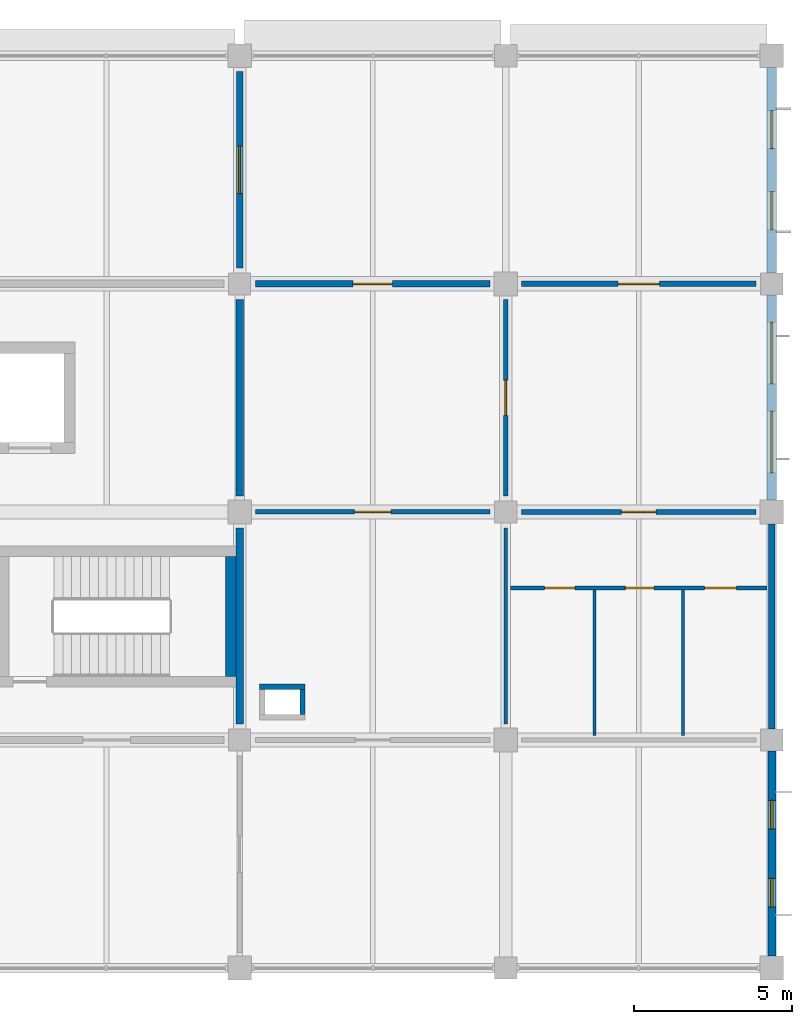
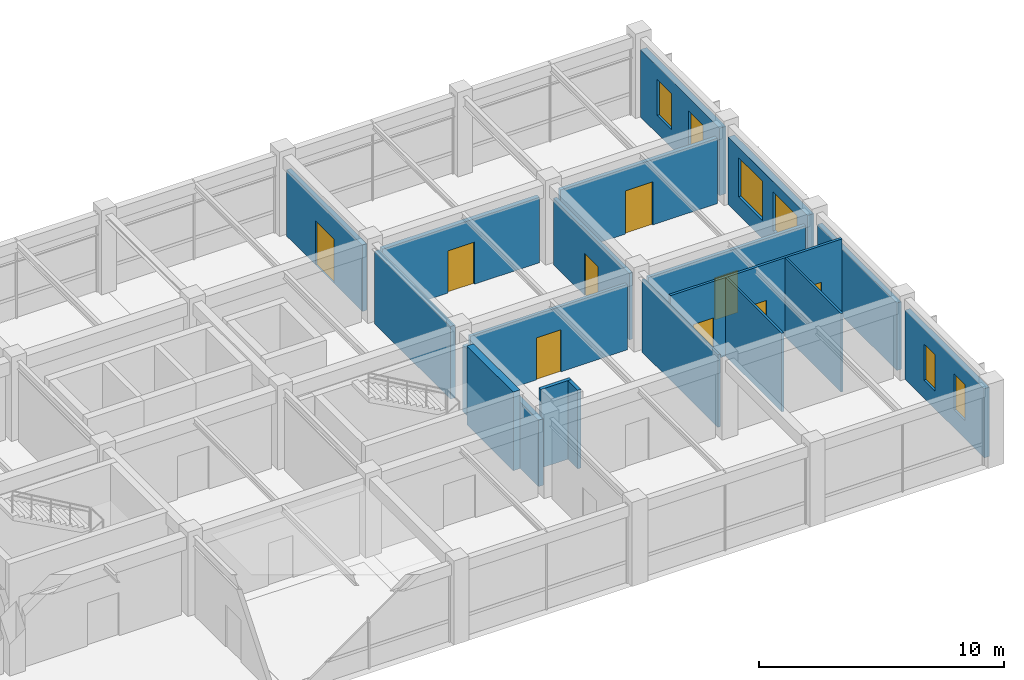
# One storey, part 10 of 13: 19 walls, 9 doors, 6 windows, 15 openings.
"""IFC4 building model written with IfcOpenShell, lengths in metres."""

from ifc_helpers import new_model, si_unit, derived_unit, direction, frame, frame_2d, origin, place, context, subcontext, project, spatial, rectangle, extrude, material, layer, layer_set, type_object, element, fill, save


model = new_model("IFC4")

# Units and contexts
model_context = context("Model", 3, precision=1e-05, world=origin(), true_north=direction((0.0, 1.0)))
body_context = subcontext(model_context, "Body", "Model", "MODEL_VIEW")
ifc_project = project(units=[si_unit("LENGTHUNIT", "METRE"), si_unit("AREAUNIT", "SQUARE_METRE"), si_unit("VOLUMEUNIT", "CUBIC_METRE"), si_unit("PLANEANGLEUNIT", "RADIAN"), si_unit("MASSUNIT", "GRAM", prefix="KILO"), derived_unit("THERMALTRANSMITTANCEUNIT", [(si_unit("MASSUNIT", "GRAM", prefix="KILO"), 1), (si_unit("TIMEUNIT", "SECOND"), -3), (si_unit("THERMODYNAMICTEMPERATUREUNIT", "KELVIN"), -1)])], contexts=[model_context])

# Site, building, storey
site_placement = place(None, origin())
site = spatial("IfcSite", under=ifc_project, at=site_placement, CompositionType="ELEMENT")
building_placement = place(site_placement, origin())
building = spatial("IfcBuilding", under=site, at=building_placement, Name="Veldstrom Oceanarium and Marine Research Institute", CompositionType="ELEMENT")
storey_placement = place(building_placement, frame((0.0, 0.0, 31.199951171875)))
storey = spatial("IfcBuildingStorey", under=building, at=storey_placement, Name="L06", CompositionType="ELEMENT", Elevation=31.199951171875)

# Wall, openings, windows
ifc_material_1 = material(Name="Masonry Cavity Wall", Category="masonry")
ifc_layer_1 = layer(ifc_material_1, 0.31005859375)
ifc_layer_set_1 = layer_set([ifc_layer_1], Name="ARC-WAL-EW1")
wall_type_1 = type_object("IfcWallType", Name="ARC-WAL-EW1", PredefinedType="SOLIDWALL", material=ifc_layer_set_1)
wall_1_placement = place(storey_placement, frame((117.60009765625, 57.97509765625, 0.0), z_axis=(0.0, 0.0, 1.0), x_axis=(0.0, 1.0, 0.0)))
wall_1 = element("IfcWall", 1, at=wall_1_placement, inside=storey, type_object=wall_type_1, Name="Exterior Facade Wall EW1 L06-192", PredefinedType="SOLIDWALL", context=body_context, shape_type="SweptSolid", body=[
    extrude(rectangle(XDim=6.474853515625, YDim=0.31005859375, at=frame_2d((3.2373046875, 0.0))), origin(), (0.0, 0.0, 1.0), 3.364990234375),
])
opening_1_placement = place(wall_1_placement, frame((0.8583984375, 0.0, 0.89990234375)))
opening_1 = element("IfcOpeningElement", 2, at=opening_1_placement, cuts=wall_1, Name="Opening W22", PredefinedType="OPENING", context=body_context, shape_type="SweptSolid", body=[
    extrude(rectangle(XDim=1.949951171875, YDim=1.949951171875, at=frame_2d((0.97509765625, 0.97509765625))), frame((0.0, 0.1650390625, 0.0), z_axis=(0.0, -1.0, 0.0), x_axis=(1.0, 0.0, 0.0)), (0.0, 0.0, 1.0), 0.330078125),
])
opening_2_placement = place(wall_1_placement, frame((3.666748046875, 0.0, 0.89990234375)))
opening_2 = element("IfcOpeningElement", 3, at=opening_2_placement, cuts=wall_1, Name="Opening W22", PredefinedType="OPENING", context=body_context, shape_type="SweptSolid", body=[
    extrude(rectangle(XDim=1.949951171875, YDim=1.949951171875, at=frame_2d((0.97509765625, 0.97509765625))), frame((0.0, 0.1650390625, 0.0), z_axis=(0.0, -1.0, 0.0), x_axis=(1.0, 0.0, 0.0)), (0.0, 0.0, 1.0), 0.330078125),
])
ifc_material_2 = material(Name="Double Glazed Low-E IGU", Category="glass")
window_type_1 = type_object("IfcWindowType", Name="ARC-WIN-W22", PartitioningType="SINGLE_PANEL", PredefinedType="WINDOW", material=ifc_material_2)
window_1_placement = place(opening_1_placement, origin())
window_1 = element("IfcWindow", 4, at=window_1_placement, inside=storey, type_object=window_type_1, Name="Facade Window W22 L06-0156", OverallHeight=1.949951171875, OverallWidth=1.949951171875, PartitioningType="SINGLE_PANEL", PredefinedType="WINDOW", context=body_context, shape_type="SweptSolid", body=[
    extrude(rectangle(XDim=1.949951171875, YDim=1.949951171875, at=frame_2d((0.97509765625, 0.97509765625))), frame((0.0, 0.030029296875, 0.0), z_axis=(0.0, -1.0, 0.0), x_axis=(1.0, 0.0, 0.0)), (0.0, 0.0, 1.0), 0.06005859375),
])
fill(opening_1, window_1)
window_2_placement = place(opening_2_placement, origin())
window_2 = element("IfcWindow", 5, at=window_2_placement, inside=storey, type_object=window_type_1, Name="Facade Window W22 L06-0157", OverallHeight=1.949951171875, OverallWidth=1.949951171875, PartitioningType="SINGLE_PANEL", PredefinedType="WINDOW", context=body_context, shape_type="SweptSolid", body=[
    extrude(rectangle(XDim=1.949951171875, YDim=1.949951171875, at=frame_2d((0.97509765625, 0.97509765625))), frame((0.0, 0.030029296875, 0.0), z_axis=(0.0, -1.0, 0.0), x_axis=(1.0, 0.0, 0.0)), (0.0, 0.0, 1.0), 0.06005859375),
])
fill(opening_2, window_2)

ifc_material_3 = material(Name="Masonry Cavity Wall", Category="masonry")
ifc_layer_2 = layer(ifc_material_3, 0.2900390625)
ifc_layer_set_2 = layer_set([ifc_layer_2], Name="ARC-WAL-EW2")
wall_type_2 = type_object("IfcWallType", Name="ARC-WAL-EW2", PredefinedType="SOLIDWALL", material=ifc_layer_set_2)
wall_2_placement = place(storey_placement, frame((117.60009765625, 65.14990234375, 0.0), z_axis=(0.0, 0.0, 1.0), x_axis=(0.0, 1.0, 0.0)))
wall_2 = element("IfcWall", 6, at=wall_2_placement, inside=storey, type_object=wall_type_2, Name="Exterior Facade Wall EW2 L06-193", PredefinedType="SOLIDWALL", context=body_context, shape_type="SweptSolid", body=[
    extrude(rectangle(XDim=6.47509765625, YDim=0.2900390625, at=frame_2d((3.237548828125, 0.0))), origin(), (0.0, 0.0, 1.0), 3.364990234375),
])
opening_3_placement = place(wall_2_placement, frame((1.3583984375, 0.0, 0.89990234375)))
opening_3 = element("IfcOpeningElement", 7, at=opening_3_placement, cuts=wall_2, Name="Opening W05", PredefinedType="OPENING", context=body_context, shape_type="SweptSolid", body=[
    extrude(rectangle(XDim=1.199951171875, YDim=1.800048828125, at=frame_2d((0.60009765625, 0.89990234375))), frame((0.0, 0.155029296875, 0.0), z_axis=(0.0, -1.0, 0.0), x_axis=(1.0, 0.0, 0.0)), (0.0, 0.0, 1.0), 0.31005859375),
])
opening_4_placement = place(wall_2_placement, frame((3.916748046875, 0.0, 0.89990234375)))
opening_4 = element("IfcOpeningElement", 8, at=opening_4_placement, cuts=wall_2, Name="Opening W05", PredefinedType="OPENING", context=body_context, shape_type="SweptSolid", body=[
    extrude(rectangle(XDim=1.199951171875, YDim=1.800048828125, at=frame_2d((0.60009765625, 0.89990234375))), frame((0.0, 0.155029296875, 0.0), z_axis=(0.0, -1.0, 0.0), x_axis=(1.0, 0.0, 0.0)), (0.0, 0.0, 1.0), 0.31005859375),
])
ifc_material_4 = material(Name="Double Glazed Low-E IGU", Category="glass")
window_type_2 = type_object("IfcWindowType", Name="ARC-WIN-W05", PartitioningType="SINGLE_PANEL", PredefinedType="WINDOW", material=ifc_material_4)
window_3_placement = place(opening_3_placement, origin())
window_3 = element("IfcWindow", 9, at=window_3_placement, inside=storey, type_object=window_type_2, Name="Facade Window W05 L06-0158", OverallHeight=1.800048828125, OverallWidth=1.199951171875, PartitioningType="SINGLE_PANEL", PredefinedType="WINDOW", context=body_context, shape_type="SweptSolid", body=[
    extrude(rectangle(XDim=1.199951171875, YDim=1.800048828125, at=frame_2d((0.60009765625, 0.89990234375))), frame((0.0, 0.030029296875, 0.0), z_axis=(0.0, -1.0, 0.0), x_axis=(1.0, 0.0, 0.0)), (0.0, 0.0, 1.0), 0.06005859375),
])
fill(opening_3, window_3)
window_4_placement = place(opening_4_placement, origin())
window_4 = element("IfcWindow", 10, at=window_4_placement, inside=storey, type_object=window_type_2, Name="Facade Window W05 L06-0159", OverallHeight=1.800048828125, OverallWidth=1.199951171875, PartitioningType="SINGLE_PANEL", PredefinedType="WINDOW", context=body_context, shape_type="SweptSolid", body=[
    extrude(rectangle(XDim=1.199951171875, YDim=1.800048828125, at=frame_2d((0.60009765625, 0.89990234375))), frame((0.0, 0.030029296875, 0.0), z_axis=(0.0, -1.0, 0.0), x_axis=(1.0, 0.0, 0.0)), (0.0, 0.0, 1.0), 0.06005859375),
])
fill(opening_4, window_4)

ifc_material_5 = material(Name="Masonry Cavity Wall", Category="masonry")
ifc_layer_3 = layer(ifc_material_5, 0.25)
ifc_layer_set_3 = layer_set([ifc_layer_3], Name="ARC-WAL-EW5")
wall_type_3 = type_object("IfcWallType", Name="ARC-WAL-EW5", PredefinedType="SOLIDWALL", material=ifc_layer_set_3)
wall_3_placement = place(storey_placement, frame((117.60009765625, 43.574951171875, 0.0), z_axis=(0.0, 0.0, 1.0), x_axis=(0.0, 1.0, 0.0)))
wall_3 = element("IfcWall", 11, at=wall_3_placement, inside=storey, type_object=wall_type_3, Name="Exterior Facade Wall EW5 L06-190", PredefinedType="SOLIDWALL", context=body_context, shape_type="SweptSolid", body=[
    extrude(rectangle(XDim=6.47509765625, YDim=0.25, at=frame_2d((3.237548828125, 0.0))), origin(), (0.0, 0.0, 1.0), 3.445068359375),
])
opening_5_placement = place(wall_3_placement, frame((1.558349609375, 0.0, 0.89990234375)))
opening_5 = element("IfcOpeningElement", 12, at=opening_5_placement, cuts=wall_3, Name="Opening W06", PredefinedType="OPENING", context=body_context, shape_type="SweptSolid", body=[
    extrude(rectangle(XDim=0.89990234375, YDim=1.800048828125, at=frame_2d((0.449951171875, 0.89990234375))), frame((0.0, 0.135009765625, 0.0), z_axis=(0.0, -1.0, 0.0), x_axis=(1.0, 0.0, 0.0)), (0.0, 0.0, 1.0), 0.27001953125),
])
opening_6_placement = place(wall_3_placement, frame((4.0166015625, 0.0, 0.89990234375)))
opening_6 = element("IfcOpeningElement", 13, at=opening_6_placement, cuts=wall_3, Name="Opening W06", PredefinedType="OPENING", context=body_context, shape_type="SweptSolid", body=[
    extrude(rectangle(XDim=0.89990234375, YDim=1.800048828125, at=frame_2d((0.449951171875, 0.89990234375))), frame((0.0, 0.135009765625, 0.0), z_axis=(0.0, -1.0, 0.0), x_axis=(1.0, 0.0, 0.0)), (0.0, 0.0, 1.0), 0.27001953125),
])
ifc_material_6 = material(Name="Double Glazed Low-E IGU", Category="glass")
window_type_3 = type_object("IfcWindowType", Name="ARC-WIN-W06", PartitioningType="SINGLE_PANEL", PredefinedType="WINDOW", material=ifc_material_6)
window_5_placement = place(opening_5_placement, origin())
window_5 = element("IfcWindow", 14, at=window_5_placement, inside=storey, type_object=window_type_3, Name="Facade Window W06 L06-0154", OverallHeight=1.800048828125, OverallWidth=0.89990234375, PartitioningType="SINGLE_PANEL", PredefinedType="WINDOW", context=body_context, shape_type="SweptSolid", body=[
    extrude(rectangle(XDim=0.89990234375, YDim=1.800048828125, at=frame_2d((0.449951171875, 0.89990234375))), frame((0.0, 0.030029296875, 0.0), z_axis=(0.0, -1.0, 0.0), x_axis=(1.0, 0.0, 0.0)), (0.0, 0.0, 1.0), 0.06005859375),
])
fill(opening_5, window_5)
window_6_placement = place(opening_6_placement, origin())
window_6 = element("IfcWindow", 15, at=window_6_placement, inside=storey, type_object=window_type_3, Name="Facade Window W06 L06-0155", OverallHeight=1.800048828125, OverallWidth=0.89990234375, PartitioningType="SINGLE_PANEL", PredefinedType="WINDOW", context=body_context, shape_type="SweptSolid", body=[
    extrude(rectangle(XDim=0.89990234375, YDim=1.800048828125, at=frame_2d((0.449951171875, 0.89990234375))), frame((0.0, 0.030029296875, 0.0), z_axis=(0.0, -1.0, 0.0), x_axis=(1.0, 0.0, 0.0)), (0.0, 0.0, 1.0), 0.06005859375),
])
fill(opening_6, window_6)

# Walls
ifc_material_7 = material(Name="Masonry Cavity Wall", Category="masonry")
ifc_layer_4 = layer(ifc_material_7, 0.215087890625)
ifc_layer_set_4 = layer_set([ifc_layer_4], Name="ARC-WAL-EW6")
wall_type_4 = type_object("IfcWallType", Name="ARC-WAL-EW6", PredefinedType="SOLIDWALL", material=ifc_layer_set_4)
wall_4_placement = place(storey_placement, frame((117.60009765625, 50.75, 0.0), z_axis=(0.0, 0.0, 1.0), x_axis=(0.0, 1.0, 0.0)))
element("IfcWall", 16, at=wall_4_placement, inside=storey, type_object=wall_type_4, Name="Exterior Facade Wall EW6 L06-191", PredefinedType="SOLIDWALL", context=body_context, shape_type="SweptSolid", body=[
    extrude(rectangle(XDim=6.47509765625, YDim=0.215087890625, at=frame_2d((3.237548828125, 0.0))), origin(), (0.0, 0.0, 1.0), 3.364990234375),
])
ifc_material_8 = material(Name="Masonry Fire Compartment Wall", Category="masonry")
ifc_layer_5 = layer(ifc_material_8, 0.22998046875)
ifc_layer_set_5 = layer_set([ifc_layer_5], Name="ARC-WAL-PT1")
wall_type_5 = type_object("IfcWallType", Name="ARC-WAL-PT1", PredefinedType="PARTITIONING", material=ifc_layer_set_5)
wall_5_placement = place(storey_placement, frame((100.800048828125, 50.89990234375, 0.0), z_axis=(0.0, 0.0, 1.0), x_axis=(0.0, 1.0, 0.0)))
element("IfcWall", 17, at=wall_5_placement, inside=storey, type_object=wall_type_5, Name="Interior Partition PT1 L06-1495", PredefinedType="PARTITIONING", context=body_context, shape_type="SweptSolid", body=[
    extrude(rectangle(XDim=6.2001953125, YDim=0.22998046875, at=frame_2d((3.10009765625, 0.0))), origin(), (0.0, 0.0, 1.0), 3.31494140625),
])
wall_6_placement = place(storey_placement, frame((100.800048828125, 58.10009765625, 0.0), z_axis=(0.0, 0.0, 1.0), x_axis=(0.0, 1.0, 0.0)))
element("IfcWall", 18, at=wall_6_placement, inside=storey, type_object=wall_type_5, Name="Interior Partition PT1 L06-1497", PredefinedType="PARTITIONING", context=body_context, shape_type="SweptSolid", body=[
    extrude(rectangle(XDim=6.199951171875, YDim=0.22998046875, at=frame_2d((3.10009765625, 0.0))), origin(), (0.0, 0.0, 1.0), 3.625),
])

# Wall, opening, door
ifc_material_9 = material(Name="Masonry Acoustic Lab Partition", Category="masonry")
ifc_layer_6 = layer(ifc_material_9, 0.205078125)
ifc_layer_set_6 = layer_set([ifc_layer_6], Name="ARC-WAL-PT2")
wall_type_6 = type_object("IfcWallType", Name="ARC-WAL-PT2", PredefinedType="PARTITIONING", material=ifc_layer_set_6)
wall_7_placement = place(storey_placement, frame((100.800048828125, 65.300048828125, 0.0), z_axis=(0.0, 0.0, 1.0), x_axis=(0.0, 1.0, 0.0)))
wall_7 = element("IfcWall", 19, at=wall_7_placement, inside=storey, type_object=wall_type_6, Name="Interior Partition PT2 L06-1499", PredefinedType="PARTITIONING", context=body_context, shape_type="SweptSolid", body=[
    extrude(rectangle(XDim=6.199951171875, YDim=0.205078125, at=frame_2d((3.10009765625, 0.0))), origin(), (0.0, 0.0, 1.0), 3.31494140625),
])
opening_7_placement = place(wall_7_placement, frame((2.35009765625, 0.0, 0.0)))
opening_7 = element("IfcOpeningElement", 20, at=opening_7_placement, cuts=wall_7, Name="Opening D-L06-895", PredefinedType="OPENING", context=body_context, shape_type="SweptSolid", body=[
    extrude(rectangle(XDim=1.5, YDim=2.199951171875, at=frame_2d((0.75, 1.10009765625))), frame((0.0, 0.112548828125, 0.0), z_axis=(0.0, -1.0, 0.0), x_axis=(1.0, 0.0, 0.0)), (0.0, 0.0, 1.0), 0.22509765625),
])
ifc_material_10 = material(Name="Laboratory Double Leaf Door", Category="timber")
door_type_1 = type_object("IfcDoorType", Name="ARC-DOR-ID03", OperationType="DOUBLE_DOOR_SINGLE_SWING", PredefinedType="DOOR", material=ifc_material_10)
door_1_placement = place(opening_7_placement, frame((1.5, 0.0, 0.0), z_axis=(0.0, 0.0, 1.0), x_axis=(-1.0, 0.0, 0.0)))
door_1 = element("IfcDoor", 21, at=door_1_placement, inside=storey, type_object=door_type_1, Name="Interior Door D-L06-895", OperationType="DOUBLE_DOOR_SINGLE_SWING", OverallHeight=2.199951171875, OverallWidth=1.5, PredefinedType="DOOR", context=body_context, shape_type="SweptSolid", body=[
    extrude(rectangle(XDim=1.5, YDim=2.199951171875, at=frame_2d((0.75, 1.10009765625))), frame((0.0, 0.02490234375, 0.0), z_axis=(0.0, -1.0, 0.0), x_axis=(1.0, 0.0, 0.0)), (0.0, 0.0, 1.0), 0.050048828125),
])
fill(opening_7, door_1)

wall_8_placement = place(storey_placement, frame((101.300048828125, 64.800048828125, 0.0), z_axis=(0.0, 0.0, 1.0), x_axis=(1.0, 0.0, 0.0)))
wall_8 = element("IfcWall", 22, at=wall_8_placement, inside=storey, type_object=wall_type_6, Name="Interior Partition PT2 L06-1504", PredefinedType="PARTITIONING", context=body_context, shape_type="SweptSolid", body=[
    extrude(rectangle(XDim=7.39990234375, YDim=0.205078125, at=frame_2d((3.699951171875, 0.0))), origin(), (0.0, 0.0, 1.0), 3.26513671875),
])
opening_8_placement = place(wall_8_placement, frame((3.074951171875, 0.0, 0.0)))
opening_8 = element("IfcOpeningElement", 23, at=opening_8_placement, cuts=wall_8, Name="Opening D-L06-899", PredefinedType="OPENING", context=body_context, shape_type="SweptSolid", body=[
    extrude(rectangle(XDim=1.25, YDim=2.10009765625, at=frame_2d((0.625, 1.050048828125))), frame((0.0, 0.112548828125, 0.0), z_axis=(0.0, -1.0, 0.0), x_axis=(1.0, 0.0, 0.0)), (0.0, 0.0, 1.0), 0.22509765625),
])
ifc_material_11 = material(Name="Specimen Prep Door", Category="timber")
door_type_2 = type_object("IfcDoorType", Name="ARC-DOR-ID16", OperationType="SINGLE_SWING_RIGHT", PredefinedType="DOOR", material=ifc_material_11)
door_2_placement = place(opening_8_placement, origin())
door_2 = element("IfcDoor", 24, at=door_2_placement, inside=storey, type_object=door_type_2, Name="Interior Door D-L06-899", OperationType="SINGLE_SWING_LEFT", OverallHeight=2.10009765625, OverallWidth=1.25, PredefinedType="DOOR", context=body_context, shape_type="SweptSolid", body=[
    extrude(rectangle(XDim=1.25, YDim=2.10009765625, at=frame_2d((0.625, 1.050048828125))), frame((0.0, 0.02490234375, 0.0), z_axis=(0.0, -1.0, 0.0), x_axis=(1.0, 0.0, 0.0)), (0.0, 0.0, 1.0), 0.050048828125),
])
fill(opening_8, door_2)

ifc_material_12 = material(Name="Drywall Acoustic Partition", Category="gypsum")
ifc_layer_7 = layer(ifc_material_12, 0.175048828125)
ifc_layer_set_7 = layer_set([ifc_layer_7], Name="ARC-WAL-PT3")
wall_type_7 = type_object("IfcWallType", Name="ARC-WAL-PT3", PredefinedType="PARTITIONING", material=ifc_layer_set_7)
wall_9_placement = place(storey_placement, frame((109.699951171875, 64.800048828125, 0.0), z_axis=(0.0, 0.0, 1.0), x_axis=(1.0, 0.0, 0.0)))
wall_9 = element("IfcWall", 25, at=wall_9_placement, inside=storey, type_object=wall_type_7, Name="Interior Partition PT3 L06-1507", PredefinedType="PARTITIONING", context=body_context, shape_type="SweptSolid", body=[
    extrude(rectangle(XDim=7.400146484375, YDim=0.175048828125, at=frame_2d((3.7001953125, 0.0))), origin(), (0.0, 0.0, 1.0), 3.26513671875),
])
opening_9_placement = place(wall_9_placement, frame((3.050048828125, 0.0, 0.0)))
opening_9 = element("IfcOpeningElement", 26, at=opening_9_placement, cuts=wall_9, Name="Opening D-L06-901", PredefinedType="OPENING", context=body_context, shape_type="SweptSolid", body=[
    extrude(rectangle(XDim=1.300048828125, YDim=2.14990234375, at=frame_2d((0.64990234375, 1.074951171875))), frame((0.0, 0.097412109375, 0.0), z_axis=(0.0, -1.0, 0.0), x_axis=(1.0, 0.0, 0.0)), (0.0, 0.0, 1.0), 0.195068359375),
])
ifc_material_13 = material(Name="Wet Lab Leaf-and-Half Door", Category="timber")
door_type_3 = type_object("IfcDoorType", Name="ARC-DOR-ID05", OperationType="SINGLE_SWING_LEFT", PredefinedType="DOOR", material=ifc_material_13)
door_3_placement = place(opening_9_placement, frame((1.300048828125, 0.0, 0.0), z_axis=(0.0, 0.0, 1.0), x_axis=(-1.0, 0.0, 0.0)))
door_3 = element("IfcDoor", 27, at=door_3_placement, inside=storey, type_object=door_type_3, Name="Interior Door D-L06-901", OperationType="SINGLE_SWING_LEFT", OverallHeight=2.14990234375, OverallWidth=1.300048828125, PredefinedType="DOOR", context=body_context, shape_type="SweptSolid", body=[
    extrude(rectangle(XDim=1.300048828125, YDim=2.14990234375, at=frame_2d((0.64990234375, 1.074951171875))), frame((0.0, 0.02490234375, 0.0), z_axis=(0.0, -1.0, 0.0), x_axis=(1.0, 0.0, 0.0)), (0.0, 0.0, 1.0), 0.050048828125),
])
fill(opening_9, door_3)

ifc_material_14 = material(Name="Drywall Corridor Partition", Category="gypsum")
ifc_layer_8 = layer(ifc_material_14, 0.155029296875)
ifc_layer_set_8 = layer_set([ifc_layer_8], Name="ARC-WAL-PT4")
wall_type_8 = type_object("IfcWallType", Name="ARC-WAL-PT4", PredefinedType="PARTITIONING", material=ifc_layer_set_8)
wall_10_placement = place(storey_placement, frame((109.199951171875, 58.10009765625, 0.0), z_axis=(0.0, 0.0, 1.0), x_axis=(0.0, 1.0, 0.0)))
wall_10 = element("IfcWall", 28, at=wall_10_placement, inside=storey, type_object=wall_type_8, Name="Interior Partition PT4 L06-1503", PredefinedType="PARTITIONING", context=body_context, shape_type="SweptSolid", body=[
    extrude(rectangle(XDim=6.199951171875, YDim=0.155029296875, at=frame_2d((3.10009765625, 0.0))), origin(), (0.0, 0.0, 1.0), 3.31494140625),
])
opening_10_placement = place(wall_10_placement, frame((2.550048828125, 0.0, 0.0)))
opening_10 = element("IfcOpeningElement", 29, at=opening_10_placement, cuts=wall_10, Name="Opening D-L06-898", PredefinedType="OPENING", context=body_context, shape_type="SweptSolid", body=[
    extrude(rectangle(XDim=1.10009765625, YDim=2.10009765625, at=frame_2d((0.550048828125, 1.050048828125))), frame((0.0, 0.08740234375, 0.0), z_axis=(0.0, -1.0, 0.0), x_axis=(1.0, 0.0, 0.0)), (0.0, 0.0, 1.0), 0.175048828125),
])
ifc_material_15 = material(Name="Research Office Door", Category="timber")
door_type_4 = type_object("IfcDoorType", Name="ARC-DOR-ID07", OperationType="SINGLE_SWING_LEFT", PredefinedType="DOOR", material=ifc_material_15)
door_4_placement = place(opening_10_placement, frame((1.10009765625, 0.0, 0.0), z_axis=(0.0, 0.0, 1.0), x_axis=(-1.0, 0.0, 0.0)))
door_4 = element("IfcDoor", 30, at=door_4_placement, inside=storey, type_object=door_type_4, Name="Interior Door D-L06-898", OperationType="SINGLE_SWING_RIGHT", OverallHeight=2.10009765625, OverallWidth=1.10009765625, PredefinedType="DOOR", context=body_context, shape_type="SweptSolid", body=[
    extrude(rectangle(XDim=1.10009765625, YDim=2.10009765625, at=frame_2d((0.550048828125, 1.050048828125))), frame((0.0, 0.02490234375, 0.0), z_axis=(0.0, -1.0, 0.0), x_axis=(1.0, 0.0, 0.0)), (0.0, 0.0, 1.0), 0.050048828125),
])
fill(opening_10, door_4)

wall_11_placement = place(storey_placement, frame((109.699951171875, 57.60009765625, 0.0), z_axis=(0.0, 0.0, 1.0), x_axis=(1.0, 0.0, 0.0)))
wall_11 = element("IfcWall", 31, at=wall_11_placement, inside=storey, type_object=wall_type_8, Name="Interior Partition PT4 L06-1506", PredefinedType="PARTITIONING", context=body_context, shape_type="SweptSolid", body=[
    extrude(rectangle(XDim=7.400146484375, YDim=0.155029296875, at=frame_2d((3.7001953125, 0.0))), origin(), (0.0, 0.0, 1.0), 3.26513671875),
])
opening_11_placement = place(wall_11_placement, frame((3.14990234375, 0.0, 0.0)))
opening_11 = element("IfcOpeningElement", 32, at=opening_11_placement, cuts=wall_11, Name="Opening D-L06-900", PredefinedType="OPENING", context=body_context, shape_type="SweptSolid", body=[
    extrude(rectangle(XDim=1.10009765625, YDim=2.10009765625, at=frame_2d((0.550048828125, 1.050048828125))), frame((0.0, 0.08740234375, 0.0), z_axis=(0.0, -1.0, 0.0), x_axis=(1.0, 0.0, 0.0)), (0.0, 0.0, 1.0), 0.175048828125),
])
door_5_placement = place(opening_11_placement, frame((1.10009765625, 0.0, 0.0), z_axis=(0.0, 0.0, 1.0), x_axis=(-1.0, 0.0, 0.0)))
door_5 = element("IfcDoor", 33, at=door_5_placement, inside=storey, type_object=door_type_4, Name="Interior Door D-L06-900", OperationType="SINGLE_SWING_RIGHT", OverallHeight=2.10009765625, OverallWidth=1.10009765625, PredefinedType="DOOR", context=body_context, shape_type="SweptSolid", body=[
    extrude(rectangle(XDim=1.10009765625, YDim=2.10009765625, at=frame_2d((0.550048828125, 1.050048828125))), frame((0.0, 0.02490234375, 0.0), z_axis=(0.0, -1.0, 0.0), x_axis=(1.0, 0.0, 0.0)), (0.0, 0.0, 1.0), 0.050048828125),
])
fill(opening_11, door_5)

ifc_material_16 = material(Name="Moisture-Resistant Wet-Area Partition", Category="masonry")
ifc_layer_9 = layer(ifc_material_16, 0.139892578125)
ifc_layer_set_9 = layer_set([ifc_layer_9], Name="ARC-WAL-PT5")
wall_type_9 = type_object("IfcWallType", Name="ARC-WAL-PT5", PredefinedType="PARTITIONING", material=ifc_layer_set_9)
wall_12_placement = place(storey_placement, frame((101.300048828125, 57.60009765625, 0.0), z_axis=(0.0, 0.0, 1.0), x_axis=(1.0, 0.0, 0.0)))
wall_12 = element("IfcWall", 34, at=wall_12_placement, inside=storey, type_object=wall_type_9, Name="Interior Partition PT5 L06-1502", PredefinedType="PARTITIONING", context=body_context, shape_type="SweptSolid", body=[
    extrude(rectangle(XDim=7.39990234375, YDim=0.139892578125, at=frame_2d((3.699951171875, 0.0))), origin(), (0.0, 0.0, 1.0), 3.26513671875),
])
opening_12_placement = place(wall_12_placement, frame((3.125, 0.0, 0.0)))
opening_12 = element("IfcOpeningElement", 35, at=opening_12_placement, cuts=wall_12, Name="Opening D-L06-897", PredefinedType="OPENING", context=body_context, shape_type="SweptSolid", body=[
    extrude(rectangle(XDim=1.14990234375, YDim=2.10009765625, at=frame_2d((0.574951171875, 1.050048828125))), frame((0.0, 0.079833984375, 0.0), z_axis=(0.0, -1.0, 0.0), x_axis=(1.0, 0.0, 0.0)), (0.0, 0.0, 1.0), 0.159912109375),
])
ifc_material_17 = material(Name="Fellows Studio Door", Category="timber")
door_type_5 = type_object("IfcDoorType", Name="ARC-DOR-ID17", OperationType="SINGLE_SWING_LEFT", PredefinedType="DOOR", material=ifc_material_17)
door_6_placement = place(opening_12_placement, frame((1.14990234375, 0.0, 0.0), z_axis=(0.0, 0.0, 1.0), x_axis=(-1.0, 0.0, 0.0)))
door_6 = element("IfcDoor", 36, at=door_6_placement, inside=storey, type_object=door_type_5, Name="Interior Door D-L06-897", OperationType="SINGLE_SWING_LEFT", OverallHeight=2.10009765625, OverallWidth=1.14990234375, PredefinedType="DOOR", context=body_context, shape_type="SweptSolid", body=[
    extrude(rectangle(XDim=1.14990234375, YDim=2.10009765625, at=frame_2d((0.574951171875, 1.050048828125))), frame((0.0, 0.02490234375, 0.0), z_axis=(0.0, -1.0, 0.0), x_axis=(1.0, 0.0, 0.0)), (0.0, 0.0, 1.0), 0.050048828125),
])
fill(opening_12, door_6)

# Wall, openings, doors
ifc_material_18 = material(Name="Lightweight Studio Partition", Category="gypsum")
ifc_layer_10 = layer(ifc_material_18, 0.1201171875)
ifc_layer_set_10 = layer_set([ifc_layer_10], Name="ARC-WAL-PT6")
wall_type_10 = type_object("IfcWallType", Name="ARC-WAL-PT6", PredefinedType="PARTITIONING", material=ifc_layer_set_10)
wall_13_placement = place(storey_placement, frame((109.35009765625, 55.199951171875, 0.0), z_axis=(0.0, 0.0, 1.0), x_axis=(1.0, 0.0, 0.0)))
wall_13 = element("IfcWall", 37, at=wall_13_placement, inside=storey, type_object=wall_type_10, Name="Sanitary Vestibule Partition L06-13", PredefinedType="PARTITIONING", context=body_context, shape_type="SweptSolid", body=[
    extrude(rectangle(XDim=8.099853515625, YDim=0.1201171875, at=frame_2d((4.0498046875, 0.0))), origin(), (0.0, 0.0, 1.0), 3.920166015625),
])
opening_13_placement = place(wall_13_placement, frame((1.080078125, 0.0, 0.0)))
opening_13 = element("IfcOpeningElement", 38, at=opening_13_placement, cuts=wall_13, Name="Opening D-L06-WC877", PredefinedType="OPENING", context=body_context, shape_type="SweptSolid", body=[
    extrude(rectangle(XDim=0.949951171875, YDim=2.10009765625, at=frame_2d((0.47509765625, 1.050048828125))), frame((0.0, 0.070068359375, 0.0), z_axis=(0.0, -1.0, 0.0), x_axis=(1.0, 0.0, 0.0)), (0.0, 0.0, 1.0), 0.14013671875),
])
opening_14_placement = place(wall_13_placement, frame((3.6298828125, 0.0, 0.0)))
opening_14 = element("IfcOpeningElement", 39, at=opening_14_placement, cuts=wall_13, Name="Opening D-L06-WC878", PredefinedType="OPENING", context=body_context, shape_type="SweptSolid", body=[
    extrude(rectangle(XDim=0.89990234375, YDim=2.10009765625, at=frame_2d((0.449951171875, 1.050048828125))), frame((0.0, 0.070068359375, 0.0), z_axis=(0.0, -1.0, 0.0), x_axis=(1.0, 0.0, 0.0)), (0.0, 0.0, 1.0), 0.14013671875),
])
opening_15_placement = place(wall_13_placement, frame((6.1298828125, 0.0, 0.0)))
opening_15 = element("IfcOpeningElement", 40, at=opening_15_placement, cuts=wall_13, Name="Opening D-L06-WC879", PredefinedType="OPENING", context=body_context, shape_type="SweptSolid", body=[
    extrude(rectangle(XDim=1.0, YDim=2.10009765625, at=frame_2d((0.5, 1.050048828125))), frame((0.0, 0.070068359375, 0.0), z_axis=(0.0, -1.0, 0.0), x_axis=(1.0, 0.0, 0.0)), (0.0, 0.0, 1.0), 0.14013671875),
])
ifc_material_19 = material(Name="Accessible Sanitary Door", Category="timber")
door_type_6 = type_object("IfcDoorType", Name="ARC-DOR-ID08", OperationType="SINGLE_SWING_RIGHT", PredefinedType="DOOR", material=ifc_material_19)
door_7_placement = place(opening_15_placement, frame((1.0, 0.0, 0.0), z_axis=(0.0, 0.0, 1.0), x_axis=(-1.0, 0.0, 0.0)))
door_7 = element("IfcDoor", 41, at=door_7_placement, inside=storey, type_object=door_type_6, Name="Accessible WC Door D-L06-WC879", OperationType="SINGLE_SWING_RIGHT", OverallHeight=2.10009765625, OverallWidth=1.0, PredefinedType="DOOR", context=body_context, shape_type="SweptSolid", body=[
    extrude(rectangle(XDim=1.0, YDim=2.10009765625, at=frame_2d((0.5, 1.050048828125))), frame((0.0, 0.02490234375, 0.0), z_axis=(0.0, -1.0, 0.0), x_axis=(1.0, 0.0, 0.0)), (0.0, 0.0, 1.0), 0.050048828125),
])
fill(opening_15, door_7)
ifc_material_20 = material(Name="Staff Sanitary Door", Category="timber")
door_type_7 = type_object("IfcDoorType", Name="ARC-DOR-ID09", OperationType="SINGLE_SWING_LEFT", PredefinedType="DOOR", material=ifc_material_20)
door_8_placement = place(opening_13_placement, frame((0.949951171875, 0.0, 0.0), z_axis=(0.0, 0.0, 1.0), x_axis=(-1.0, 0.0, 0.0)))
door_8 = element("IfcDoor", 42, at=door_8_placement, inside=storey, type_object=door_type_7, Name="Male WC Door D-L06-WC877", OperationType="SINGLE_SWING_RIGHT", OverallHeight=2.10009765625, OverallWidth=0.949951171875, PredefinedType="DOOR", context=body_context, shape_type="SweptSolid", body=[
    extrude(rectangle(XDim=0.949951171875, YDim=2.10009765625, at=frame_2d((0.47509765625, 1.050048828125))), frame((0.0, 0.02490234375, 0.0), z_axis=(0.0, -1.0, 0.0), x_axis=(1.0, 0.0, 0.0)), (0.0, 0.0, 1.0), 0.050048828125),
])
fill(opening_13, door_8)
ifc_material_21 = material(Name="Internal Sanitary Door", Category="timber")
door_type_8 = type_object("IfcDoorType", Name="ARC-DOR-ID10", OperationType="SINGLE_SWING_RIGHT", PredefinedType="DOOR", material=ifc_material_21)
door_9_placement = place(opening_14_placement, frame((0.89990234375, 0.0, 0.0), z_axis=(0.0, 0.0, 1.0), x_axis=(-1.0, 0.0, 0.0)))
door_9 = element("IfcDoor", 43, at=door_9_placement, inside=storey, type_object=door_type_8, Name="Female WC Door D-L06-WC878", OperationType="SINGLE_SWING_LEFT", OverallHeight=2.10009765625, OverallWidth=0.89990234375, PredefinedType="DOOR", context=body_context, shape_type="SweptSolid", body=[
    extrude(rectangle(XDim=0.89990234375, YDim=2.10009765625, at=frame_2d((0.449951171875, 1.050048828125))), frame((0.0, 0.02490234375, 0.0), z_axis=(0.0, -1.0, 0.0), x_axis=(1.0, 0.0, 0.0)), (0.0, 0.0, 1.0), 0.050048828125),
])
fill(opening_14, door_9)

# Walls
wall_14_placement = place(storey_placement, frame((109.199951171875, 50.89990234375, 0.0), z_axis=(0.0, 0.0, 1.0), x_axis=(0.0, 1.0, 0.0)))
element("IfcWall", 44, at=wall_14_placement, inside=storey, type_object=wall_type_10, Name="Interior Partition PT6 L06-1501", PredefinedType="PARTITIONING", context=body_context, shape_type="SweptSolid", body=[
    extrude(rectangle(XDim=6.2001953125, YDim=0.1201171875, at=frame_2d((3.10009765625, 0.0))), origin(), (0.0, 0.0, 1.0), 3.625),
])
ifc_material_22 = material(Name="Sanitary Cubicle Partition", Category="gypsum")
ifc_layer_11 = layer(ifc_material_22, 0.10009765625)
ifc_layer_set_11 = layer_set([ifc_layer_11], Name="ARC-WAL-PT7")
wall_type_11 = type_object("IfcWallType", Name="ARC-WAL-PT7", PredefinedType="PARTITIONING", material=ifc_layer_set_11)
for number, where, z_axis, x_axis, name in (
    (45, (112.0, 50.550048828125, 0.0), (0.0, 0.0, 1.0), (0.0, 1.0, 0.0), "Sanitary Stall Divider Wall L06-1474"),
    (46, (114.800048828125, 50.550048828125, 0.0), (0.0, 0.0, 1.0), (0.0, 1.0, 0.0), "Sanitary Stall Divider Wall L06-1475"),
):
    element("IfcWall", number, at=place(storey_placement, frame(where, z_axis=z_axis, x_axis=x_axis)), inside=storey, type_object=wall_type_11, Name=name, PredefinedType="PARTITIONING", context=body_context, shape_type="SweptSolid", body=[
        extrude(rectangle(XDim=4.58984375, YDim=0.10009765625, at=frame_2d((2.294921875, 0.0))), origin(), (0.0, 0.0, 1.0), 3.920166015625),
    ])
ifc_material_23 = material(Name="Service Riser Fire Shaft Wall", Category="masonry")
ifc_layer_12 = layer(ifc_material_23, 0.1650390625)
ifc_layer_set_12 = layer_set([ifc_layer_12], Name="ARC-WAL-PT9")
wall_type_12 = type_object("IfcWallType", Name="ARC-WAL-PT9", PredefinedType="PARTITIONING", material=ifc_layer_set_12)
wall_15_placement = place(storey_placement, frame((101.43505859375, 52.08251953125, 0.0), z_axis=(0.0, 0.0, 1.0), x_axis=(1.0, 0.0, 0.0)))
element("IfcWall", 47, at=wall_15_placement, inside=storey, type_object=wall_type_12, Name="Service Riser Fire Shaft Wall L06-CE-N", PredefinedType="PARTITIONING", context=body_context, shape_type="SweptSolid", body=[
    extrude(rectangle(XDim=1.429931640625, YDim=0.1650390625, at=frame_2d((0.71484375, 0.0))), origin(), (0.0, 0.0, 1.0), 3.920166015625),
])
wall_16_placement = place(storey_placement, frame((102.782470703125, 51.199951171875, 0.0), z_axis=(0.0, 0.0, 1.0), x_axis=(0.0, 1.0, 0.0)))
element("IfcWall", 48, at=wall_16_placement, inside=storey, type_object=wall_type_12, Name="Service Riser Fire Shaft Wall L06-CE-E", PredefinedType="PARTITIONING", context=body_context, shape_type="SweptSolid", body=[
    extrude(rectangle(XDim=0.800048828125, YDim=0.1650390625, at=frame_2d((0.39990234375, 0.0))), origin(), (0.0, 0.0, 1.0), 3.920166015625),
])
ifc_material_24 = material(Name="Concrete C40/50", Category="concrete")
ifc_layer_13 = layer(ifc_material_24, 0.320068359375)
ifc_layer_set_13 = layer_set([ifc_layer_13], Name="STR-WAL-WC3")
wall_type_13 = type_object("IfcWallType", Name="STR-WAL-WC3", PredefinedType="SHEAR", material=ifc_layer_set_13)
wall_17_placement = place(storey_placement, frame((100.52001953125, 52.39990234375, 0.0), z_axis=(0.0, 0.0, 1.0), x_axis=(0.0, 1.0, 0.0)))
element("IfcWall", 49, at=wall_17_placement, inside=storey, type_object=wall_type_13, Name="Stair Core Shear Wall SC2-L06-E", PredefinedType="SHEAR", context=body_context, shape_type="SweptSolid", body=[
    extrude(rectangle(XDim=3.800048828125, YDim=0.320068359375, at=frame_2d((1.89990234375, 0.0))), origin(), (0.0, 0.0, 1.0), 3.920166015625),
])

save(model, "model.ifc")
